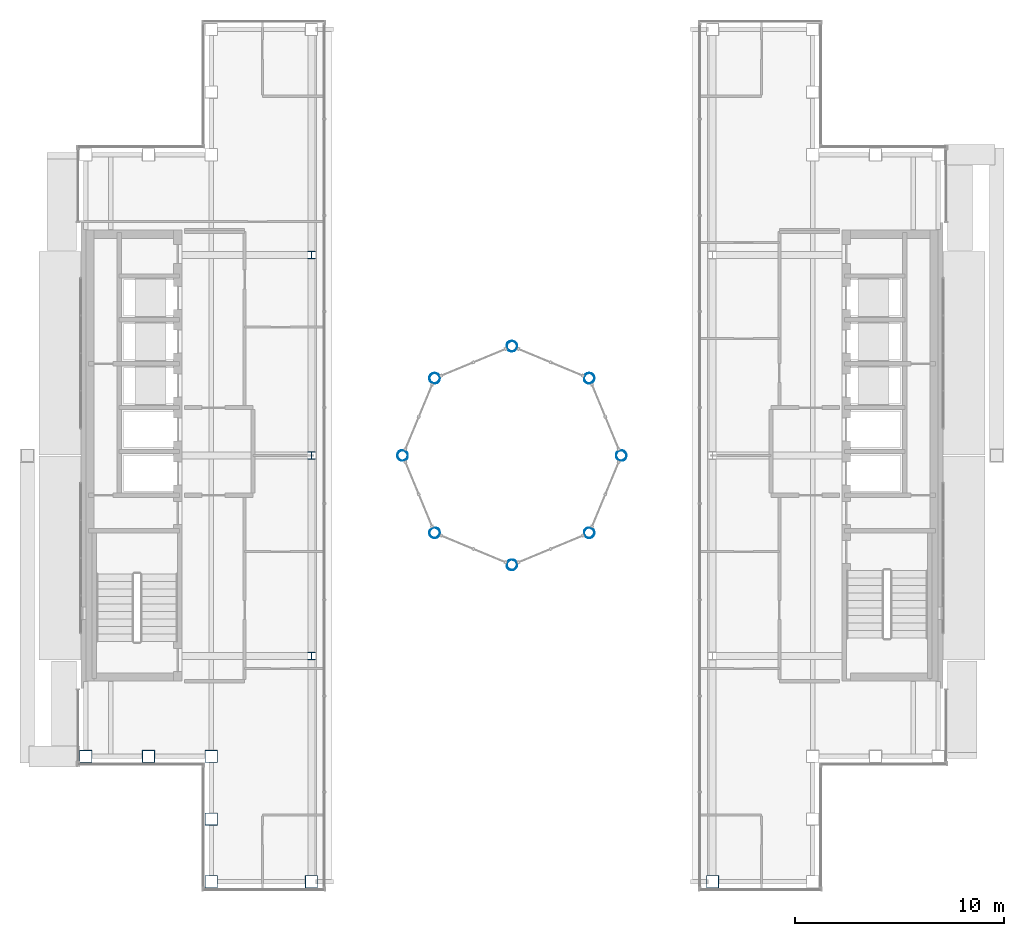
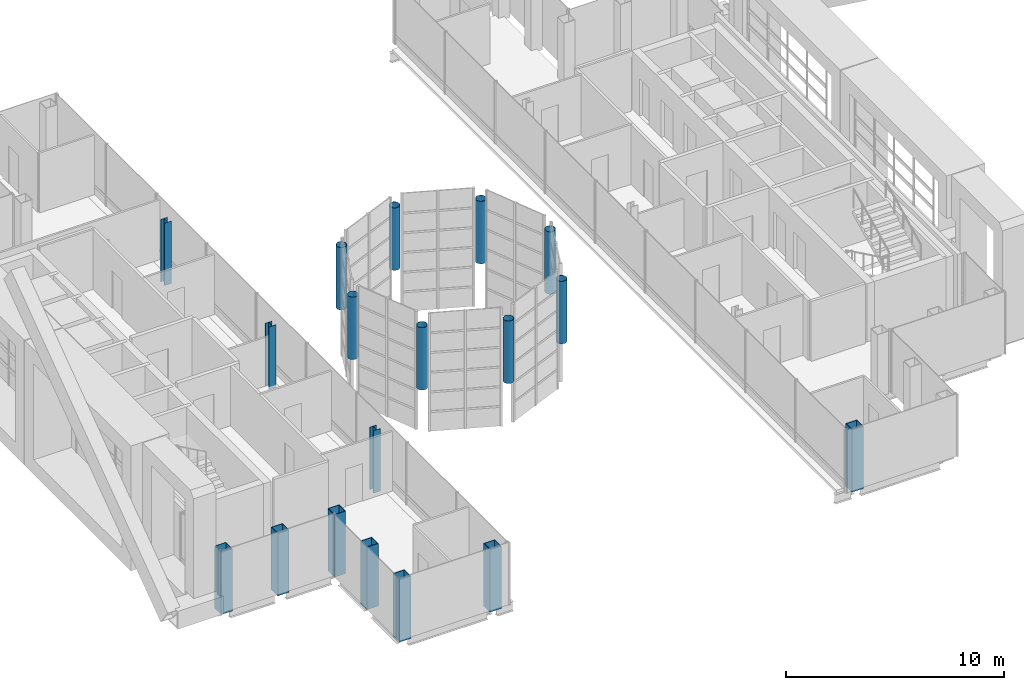
# One storey, part 1 of 21: 18 columns.
"""IFC4 building model written with IfcOpenShell, lengths in metres."""

from ifc_helpers import new_model, si_unit, direction, frame, origin, origin_2d, place, context, subcontext, project, spatial, hollow_rectangle, hollow_circle, i_section, extrude, material, material_profile, profile_set, type_object, element, save


model = new_model("IFC4")

# Units and contexts
model_context = context("Model", 3, precision=1e-05, world=origin(), true_north=direction((0.0, 1.0)))
body_context = subcontext(model_context, "Body", "Model", "MODEL_VIEW")
ifc_project = project(units=[si_unit("LENGTHUNIT", "METRE"), si_unit("AREAUNIT", "SQUARE_METRE"), si_unit("VOLUMEUNIT", "CUBIC_METRE"), si_unit("PLANEANGLEUNIT", "RADIAN"), si_unit("MASSUNIT", "GRAM", prefix="KILO")], contexts=[model_context])

# Site, building, storey
site_placement = place(None, origin())
site = spatial("IfcSite", under=ifc_project, at=site_placement, CompositionType="ELEMENT")
building_placement = place(site_placement, origin())
building = spatial("IfcBuilding", under=site, at=building_placement, Name="Cobrizo Arcos Hotel Tower", CompositionType="ELEMENT")
storey_placement = place(building_placement, frame((0.0, 0.0, 276.0)))
storey = spatial("IfcBuildingStorey", under=building, at=storey_placement, Name="L73", CompositionType="ELEMENT", Elevation=276.0)

# Columns
ifc_material_1 = material(Name="Steel ASTM A572 Grade 50", Category="steel")
ifc_material_profile_1 = material_profile(ifc_material_1, hollow_rectangle(XDim=0.60009765625, YDim=0.60009765625, WallThickness=0.030029296875, at=origin_2d()), Name="BOX 600X600X30")
ifc_profile_set_1 = profile_set([ifc_material_profile_1], Name="Steel ASTM A572 Grade 50")
column_type_1 = type_object("IfcColumnType", Name="BOX 600X600X30 column", PredefinedType="COLUMN", material=ifc_profile_set_1)
for number, where, z_axis, x_axis, name in (
    (1, (-14.39990234375, -20.39990234375, -0.14990234375), (0.0, 0.0, 1.0), (1.0, 0.0, 0.0), "Perimeter column C12, L73, no. 01"),
    (2, (-9.60009765625, -20.39990234375, -0.14990234375), (0.0, 0.0, 1.0), (1.0, 0.0, 0.0), "Perimeter column C12, L73, no. 03"),
    (3, (9.60009765625, -20.39990234375, -0.14990234375), (0.0, 0.0, 1.0), (1.0, 0.0, 0.0), "Perimeter column C12, L73, no. 05"),
    (4, (-20.39990234375, -14.39990234375, -0.14990234375), (0.0, 0.0, 1.0), (1.0, 0.0, 0.0), "Perimeter column C12, L73, no. 09"),
    (5, (-14.39990234375, -14.39990234375, -0.14990234375), (0.0, 0.0, 1.0), (1.0, 0.0, 0.0), "Perimeter column C12, L73, no. 12"),
    (6, (-14.39990234375, -17.39990234375, -0.14990234375), (0.0, 0.0, 1.0), (1.0, 0.0, 0.0), "Perimeter column C12, L73, no. 13"),
    (7, (-17.39990234375, -14.39990234375, -0.14990234375), (0.0, 0.0, 1.0), (1.0, 0.0, 0.0), "Perimeter column C12, L73, no. 14"),
):
    element("IfcColumn", number, at=place(storey_placement, frame(where, z_axis=z_axis, x_axis=x_axis)), inside=storey, type_object=column_type_1, Name=name, PredefinedType="COLUMN", context=body_context, shape_type="SweptSolid", body=[
        extrude(hollow_rectangle(XDim=0.60009765625, YDim=0.60009765625, WallThickness=0.030029296875, at=origin_2d()), origin(), (0.0, 0.0, 1.0), 3.5),
    ])
ifc_material_2 = material(Name="Steel ASTM A500 Grade C", Category="steel")
ifc_material_profile_2 = material_profile(ifc_material_2, hollow_circle(Radius=0.25390625, WallThickness=0.01171875, at=origin_2d()), Name="HSS20.000X0.500")
ifc_profile_set_2 = profile_set([ifc_material_profile_2], Name="Steel ASTM A500 Grade C")
column_type_2 = type_object("IfcColumnType", Name="HSS20.000X0.500 drum column", PredefinedType="COLUMN", material=ifc_profile_set_2)
for number, where, z_axis, x_axis, name in (
    (8, (5.232666015625, 0.0, 0.0), (0.0, 0.0, 1.0), (1.0, 0.0, 0.0), "Drum column DC1, tier 1, line 0, no. 1"),
    (9, (3.699951171875, 3.699951171875, 0.0), (0.0, 0.0, 1.0), (1.0, 0.0, 0.0), "Drum column DC2, tier 1, line 1, no. 1"),
    (10, (0.0, 5.232666015625, 0.0), (0.0, 0.0, 1.0), (1.0, 0.0, 0.0), "Drum column DC3, tier 1, line 2, no. 1"),
    (11, (-3.699951171875, 3.699951171875, 0.0), (0.0, 0.0, 1.0), (1.0, 0.0, 0.0), "Drum column DC4, tier 1, line 3, no. 1"),
    (12, (-5.232666015625, 0.0, 0.0), (0.0, 0.0, 1.0), (1.0, 0.0, 0.0), "Drum column DC5, tier 1, line 4, no. 1"),
    (13, (-3.699951171875, -3.699951171875, 0.0), (0.0, 0.0, 1.0), (1.0, 0.0, 0.0), "Drum column DC6, tier 1, line 5, no. 1"),
    (14, (0.0, -5.232666015625, 0.0), (0.0, 0.0, 1.0), (1.0, 0.0, 0.0), "Drum column DC7, tier 1, line 6, no. 1"),
    (15, (3.699951171875, -3.699951171875, 0.0), (0.0, 0.0, 1.0), (1.0, 0.0, 0.0), "Drum column DC8, tier 1, line 7, no. 1"),
):
    element("IfcColumn", number, at=place(storey_placement, frame(where, z_axis=z_axis, x_axis=x_axis)), inside=storey, type_object=column_type_2, Name=name, PredefinedType="COLUMN", context=body_context, shape_type="SweptSolid", body=[
        extrude(hollow_circle(Radius=0.25390625, WallThickness=0.01171875, at=origin_2d()), origin(), (0.0, 0.0, 1.0), 3.5),
    ])
ifc_material_3 = material(Name="Steel ASTM A992 Grade 50", Category="steel")
ifc_material_profile_3 = material_profile(ifc_material_3, i_section(OverallWidth=0.368408203125, OverallDepth=0.355712890625, WebThickness=0.01123046875, FlangeThickness=0.01806640625, at=origin_2d()), Name="W14X90")
ifc_profile_set_3 = profile_set([ifc_material_profile_3], Name="Steel ASTM A992 Grade 50")
column_type_3 = type_object("IfcColumnType", Name="W14X90 interior column", PredefinedType="COLUMN", material=ifc_profile_set_3)
for number, where, z_axis, x_axis, name in (
    (16, (-9.60009765625, -9.60009765625, -0.14990234375), (0.0, 0.0, 1.0), (1.0, 0.0, 0.0), "Interior column C13, L73, no. 00"),
    (17, (-9.60009765625, 0.0, -0.14990234375), (0.0, 0.0, 1.0), (1.0, 0.0, 0.0), "Interior column C13, L73, no. 01"),
    (18, (-9.60009765625, 9.60009765625, -0.14990234375), (0.0, 0.0, 1.0), (1.0, 0.0, 0.0), "Interior column C13, L73, no. 02"),
):
    element("IfcColumn", number, at=place(storey_placement, frame(where, z_axis=z_axis, x_axis=x_axis)), inside=storey, type_object=column_type_3, Name=name, PredefinedType="COLUMN", context=body_context, shape_type="SweptSolid", body=[
        extrude(i_section(OverallWidth=0.368408203125, OverallDepth=0.355712890625, WebThickness=0.01123046875, FlangeThickness=0.01806640625, at=origin_2d()), origin(), (0.0, 0.0, 1.0), 3.5),
    ])

save(model, "model.ifc")
